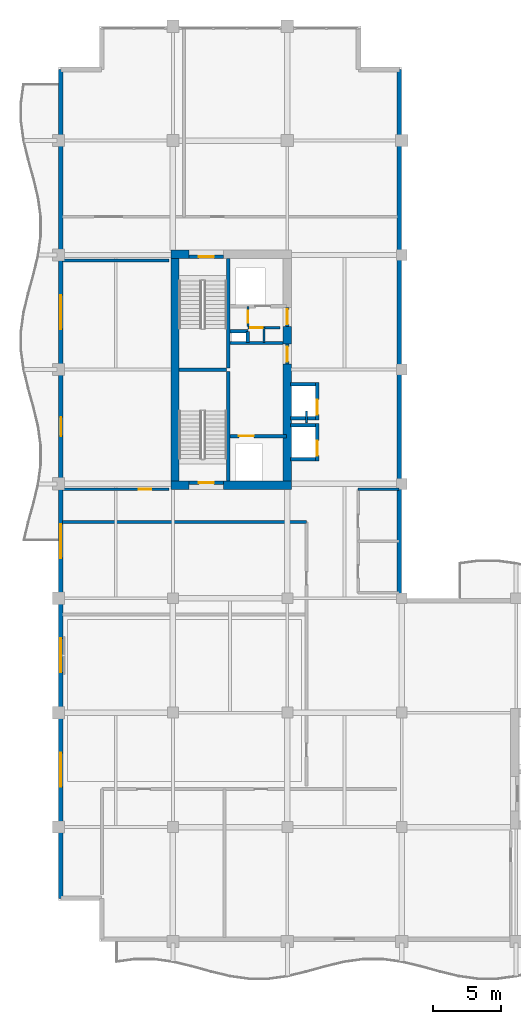
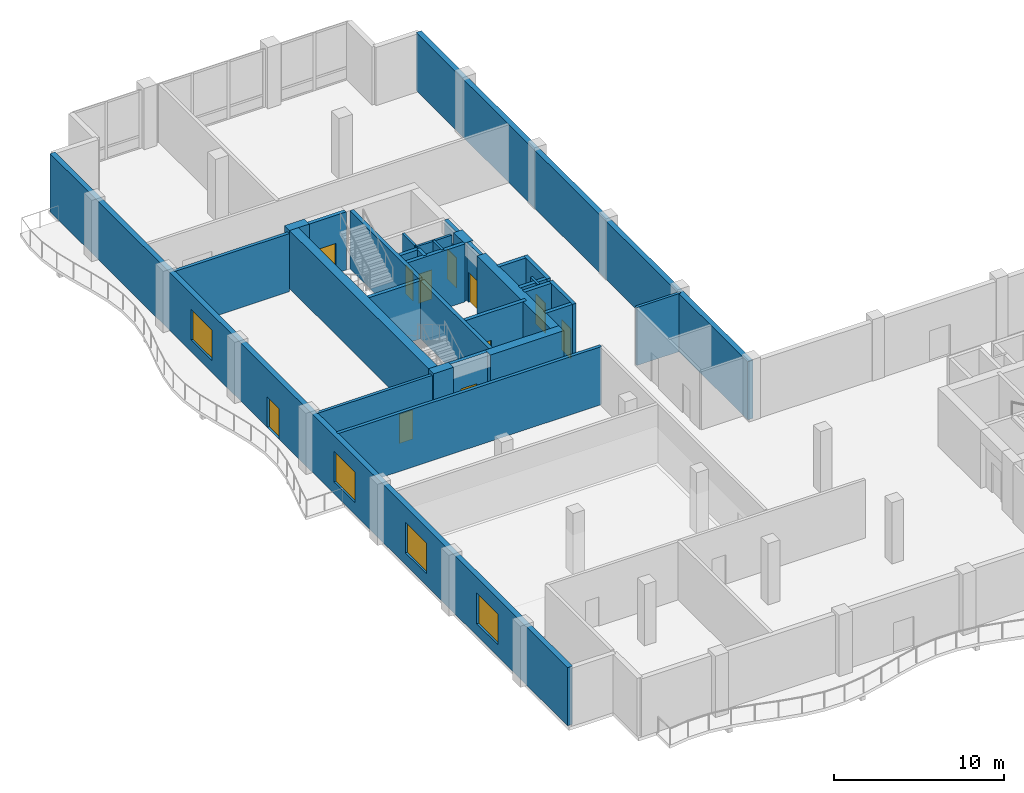
# One storey, part 8 of 16: 33 walls, 11 doors, 4 windows, 15 openings.
"""IFC4 building model written with IfcOpenShell, lengths in metres."""

import ifcopenshell
import ifcopenshell.guid

model = None  # the IFC model being written
_history = None  # IfcOwnerHistory: only IFC2X3 demands one
_inside = {}  # id of a spatial element -> (the spatial element, [elements in it])
_under = {}  # id of a project, library or spatial element -> (it, [spatial elements below it])
_declared = {}  # id of a project -> (the project, [libraries it declares])
_typed = {}  # id of a type object -> (the type object, [elements of that type])
_made_of = {}  # id of a material, layer set ... -> (it, [elements and type objects made of it])


def new_model(schema):
    """Start an empty IFC model of exactly this schema.

    Asked for "IFC4X3", IfcOpenShell would pick the latest addendum, in which some entities
    have other attributes; the version numbers below select the first issue.
    IFC2X3 requires an IfcOwnerHistory on every rooted entity: one is made here for all.
    """
    global model, _history
    if schema == "IFC4X3":
        model = ifcopenshell.file(schema_version=(4, 3, 0, 0))
    else:
        model = ifcopenshell.file(schema=schema)
    _inside.clear()
    _under.clear()
    _declared.clear()
    _typed.clear()
    _made_of.clear()
    _history = None
    if model.schema == "IFC2X3":
        org = make("IfcOrganization", Name="unknown")
        user = make(
            "IfcPersonAndOrganization",
            ThePerson=make("IfcPerson", FamilyName="unknown"),
            TheOrganization=org,
        )
        app = make(
            "IfcApplication",
            ApplicationDeveloper=org,
            Version="unknown",
            ApplicationFullName="unknown",
            ApplicationIdentifier="unknown",
        )
        _history = make(
            "IfcOwnerHistory",
            OwningUser=user,
            OwningApplication=app,
            ChangeAction="ADDED",
            CreationDate=0,
        )
    return model


def make(cls, **values):
    """One entity of the class cls with the attributes given. An attribute that is None is left unset."""
    return model.create_entity(
        cls, **{name: value for name, value in values.items() if value is not None}
    )


def rooted(cls, **values):
    """An entity with a GlobalId (a new one), such as an element, a storey or a relation."""
    return make(cls, GlobalId=ifcopenshell.guid.new(), OwnerHistory=_history, **values)


def si_unit(unit_type, name, prefix=None):
    """IfcSIUnit, for example si_unit("LENGTHUNIT", "METRE", prefix="MILLI")."""
    return make("IfcSIUnit", UnitType=unit_type, Prefix=prefix, Name=name)


def assignment(units):
    """IfcUnitAssignment: the units of a project."""
    return None if units is None else make("IfcUnitAssignment", Units=units)


def point(xyz):
    """IfcCartesianPoint."""
    return None if xyz is None else make("IfcCartesianPoint", Coordinates=xyz)


def direction(xyz):
    """IfcDirection."""
    return None if xyz is None else make("IfcDirection", DirectionRatios=xyz)


def frame(location, z_axis=None, x_axis=None):
    """IfcAxis2Placement3D, a coordinate frame: its origin and axes. An axis left out is left unset."""
    return make(
        "IfcAxis2Placement3D",
        Location=point(location),
        Axis=direction(z_axis),
        RefDirection=direction(x_axis),
    )


def frame_2d(location, x_axis=None):
    """IfcAxis2Placement2D, a coordinate frame in the plane: its origin and x axis."""
    return make(
        "IfcAxis2Placement2D", Location=point(location), RefDirection=direction(x_axis)
    )


def origin():
    """The frame at (0, 0, 0) with its axes left unset."""
    return frame((0.0, 0.0, 0.0))


def place(relative_to, where):
    """IfcLocalPlacement: puts the frame where relative to a parent placement (None: the world)."""
    return make(
        "IfcLocalPlacement", PlacementRelTo=relative_to, RelativePlacement=where
    )


def context(
    kind, dimensions, precision=None, world=None, true_north=None, identifier=None
):
    """IfcGeometricRepresentationContext, for example the 3D "Model" context."""
    return make(
        "IfcGeometricRepresentationContext",
        ContextIdentifier=identifier,
        ContextType=kind,
        CoordinateSpaceDimension=dimensions,
        Precision=precision,
        WorldCoordinateSystem=world,
        TrueNorth=true_north,
    )


def subcontext(parent, identifier, kind, view, scale=None):
    """IfcGeometricRepresentationSubContext, for example "Body" below "Model"."""
    return make(
        "IfcGeometricRepresentationSubContext",
        ContextIdentifier=identifier,
        ContextType=kind,
        ParentContext=parent,
        TargetScale=scale,
        TargetView=view,
    )


def project(units=None, contexts=None):
    """IfcProject with its units and contexts."""
    return rooted(
        "IfcProject",
        Name="project",
        RepresentationContexts=contexts,
        UnitsInContext=assignment(units),
    )


def spatial(cls, under=None, at=None, **own):
    """A site, building, storey or space (cls), placed at a placement, below another one or the project."""
    s = rooted(cls, ObjectPlacement=at, **own)
    if under is not None:
        _under.setdefault(under.id(), (under, []))[1].append(s)
    return s


def profile(cls, at=None, kind="AREA", **sizes):
    """A parametric profile (cls). Its sizes go by their IFC names, for example OverallWidth=200.0."""
    return make(cls, ProfileType=kind, Position=at, **sizes)


def rectangle(**sizes):
    """IfcRectangleProfileDef."""
    return profile("IfcRectangleProfileDef", **sizes)


def extrude(swept, where, along, depth):
    """IfcExtrudedAreaSolid: the profile swept, set in the frame where, extruded along a direction by depth."""
    return make(
        "IfcExtrudedAreaSolid",
        SweptArea=swept,
        Position=where,
        ExtrudedDirection=direction(along),
        Depth=depth,
    )


def shape(context_of_items, identifier, shape_type, items):
    """IfcShapeRepresentation: the items that make up one representation, for example the "Body"."""
    return make(
        "IfcShapeRepresentation",
        ContextOfItems=context_of_items,
        RepresentationIdentifier=identifier,
        RepresentationType=shape_type,
        Items=items,
    )


def material(Name=None, Category=None):
    """IfcMaterial."""
    return make("IfcMaterial", Name=Name, Category=Category)


def layer(
    of_material, thickness, ventilated=None, Name=None, Category=None, Priority=None
):
    """IfcMaterialLayer: one layer of a wall or slab, of a material (None: an air gap)."""
    return make(
        "IfcMaterialLayer",
        Material=of_material,
        LayerThickness=thickness,
        IsVentilated=ventilated,
        Name=Name,
        Category=Category,
        Priority=Priority,
    )


def layer_set(layers, Name=None):
    """IfcMaterialLayerSet."""
    return make("IfcMaterialLayerSet", MaterialLayers=layers, LayerSetName=Name)


def made_of(thing, what):
    """Note that an element or type object is made of a material, layer set ...; save() writes the relation."""
    if what is not None:
        _made_of.setdefault(what.id(), (what, []))[1].append(thing)
    return thing


def type_object(cls, material=None, **own):
    """A type object (cls), such as IfcWallType, which elements share."""
    return made_of(rooted(cls, **own), material)


def element(
    cls,
    number,
    at=None,
    inside=None,
    cuts=None,
    type_object=None,
    material=None,
    context=None,
    identifier="Body",
    shape_type=None,
    held_by="IfcProductDefinitionShape",
    body=None,
    shapes=None,
    **own,
):
    """One element of the class cls, such as IfcWall. Its Tag is "e" and its number.

    at: its placement. inside: the storey or other place that contains it. cuts: it is an
    opening in that element (IfcRelVoidsElement). A single representation is given by context,
    identifier, shape_type and body (its items); several are given by shapes. held_by: the class
    of the entity that holds the representations. save() writes the other relations.
    """
    e = rooted(cls, Tag="e%d" % number, ObjectPlacement=at, **own)
    if body is not None:
        shapes = [shape(context, identifier, shape_type, body)]
    if shapes is not None:
        e.Representation = make(held_by, Representations=shapes)
    if inside is not None:
        _inside.setdefault(inside.id(), (inside, []))[1].append(e)
    if cuts is not None:
        rooted(
            "IfcRelVoidsElement", RelatingBuildingElement=cuts, RelatedOpeningElement=e
        )
    if type_object is not None:
        _typed.setdefault(type_object.id(), (type_object, []))[1].append(e)
    return made_of(e, material)


def fill(opening, filler):
    """IfcRelFillsElement: the door or window that sits in an opening."""
    return rooted(
        "IfcRelFillsElement",
        RelatingOpeningElement=opening,
        RelatedBuildingElement=filler,
    )


def aggregate(whole, parts):
    """IfcRelAggregates: a whole, such as a stair, and the parts it consists of."""
    return rooted("IfcRelAggregates", RelatingObject=whole, RelatedObjects=parts)


def save(model, path):
    """Write the relations noted so far, then the file.

    IfcRelAggregates (storeys below a building ...), IfcRelContainedInSpatialStructure (elements
    in a storey), IfcRelDefinesByType, IfcRelAssociatesMaterial and IfcRelDeclares: one each for
    every whole, place, type object, material and project.
    """
    for whole, parts in _under.values():
        aggregate(whole, parts)
    for where, things in _inside.values():
        rooted(
            "IfcRelContainedInSpatialStructure",
            RelatedElements=things,
            RelatingStructure=where,
        )
    for kind, things in _typed.values():
        rooted("IfcRelDefinesByType", RelatedObjects=things, RelatingType=kind)
    for what, things in _made_of.values():
        rooted("IfcRelAssociatesMaterial", RelatedObjects=things, RelatingMaterial=what)
    for by, libraries in _declared.values():
        rooted("IfcRelDeclares", RelatingContext=by, RelatedDefinitions=libraries)
    model.write(path)


model = new_model("IFC4")

# Units and contexts
model_context = context("Model", 3, precision=1e-05, world=origin(), true_north=direction((0.0, 1.0)))
body_context = subcontext(model_context, "Body", "Model", "MODEL_VIEW")
ifc_project = project(units=[si_unit("LENGTHUNIT", "METRE"), si_unit("AREAUNIT", "SQUARE_METRE"), si_unit("VOLUMEUNIT", "CUBIC_METRE"), si_unit("PLANEANGLEUNIT", "RADIAN"), si_unit("MASSUNIT", "GRAM", prefix="KILO")], contexts=[model_context])

# Site, building, storey
site_placement = place(None, origin())
site = spatial("IfcSite", under=ifc_project, at=site_placement, CompositionType="ELEMENT")
building_placement = place(site_placement, origin())
building = spatial("IfcBuilding", under=site, at=building_placement, Name="Koriwani Terraces Tower", CompositionType="ELEMENT")
storey_placement = place(building_placement, frame((0.0, 0.0, 286.0)))
storey = spatial("IfcBuildingStorey", under=building, at=storey_placement, Name="L71", CompositionType="ELEMENT", Elevation=286.0)

# Walls
ifc_material_1 = material(Name="Concrete C60/75", Category="concrete")
ifc_layer_1 = layer(ifc_material_1, 0.60009765625, Name="Concrete C60/75")
ifc_layer_set_1 = layer_set([ifc_layer_1], Name="Concrete C60/75")
wall_type_1 = type_object("IfcWallType", Name="WALL_CORE_RC_600", PredefinedType="SHEAR", material=ifc_layer_set_1)
wall_1_placement = place(storey_placement, frame((16.64990234375, 41.89990234375, 0.0), z_axis=(0.0, 0.0, 1.0), x_axis=(1.0, 0.0, 0.0)))
element("IfcWall", 1, at=wall_1_placement, inside=storey, type_object=wall_type_1, Name="L71 West Split Core Shear Wall S1", PredefinedType="SHEAR", context=body_context, shape_type="SweptSolid", body=[
    extrude(rectangle(XDim=1.35009765625, YDim=0.60009765625, at=frame_2d((0.675048828125, 0.0))), origin(), (0.0, 0.0, 1.0), 4.169921875),
])
wall_2_placement = place(storey_placement, frame((20.5, 41.89990234375, 0.0), z_axis=(0.0, 0.0, 1.0), x_axis=(1.0, 0.0, 0.0)))
element("IfcWall", 2, at=wall_2_placement, inside=storey, type_object=wall_type_1, Name="L71 West Split Core Shear Wall S2", PredefinedType="SHEAR", context=body_context, shape_type="SweptSolid", body=[
    extrude(rectangle(XDim=5.0, YDim=0.60009765625, at=frame_2d((2.5, 0.0))), origin(), (0.0, 0.0, 1.0), 4.169921875),
])
wall_3_placement = place(storey_placement, frame((16.64990234375, 58.85009765625, 0.0), z_axis=(0.0, 0.0, 1.0), x_axis=(1.0, 0.0, 0.0)))
element("IfcWall", 3, at=wall_3_placement, inside=storey, type_object=wall_type_1, Name="L71 West Split Core Shear Wall N1", PredefinedType="SHEAR", context=body_context, shape_type="SweptSolid", body=[
    extrude(rectangle(XDim=1.35009765625, YDim=0.60009765625, at=frame_2d((0.675048828125, 0.0))), origin(), (0.0, 0.0, 1.0), 4.169921875),
])
wall_4_placement = place(storey_placement, frame((16.949951171875, 42.199951171875, 0.0), z_axis=(0.0, 0.0, 1.0), x_axis=(0.0, 1.0, 0.0)))
element("IfcWall", 4, at=wall_4_placement, inside=storey, type_object=wall_type_1, Name="L71 West Split Core Shear Wall W1", PredefinedType="SHEAR", context=body_context, shape_type="SweptSolid", body=[
    extrude(rectangle(XDim=16.35009765625, YDim=0.60009765625, at=frame_2d((8.175048828125, 0.0))), origin(), (0.0, 0.0, 1.0), 4.169921875),
])
wall_5_placement = place(storey_placement, frame((25.199951171875, 42.199951171875, 0.0), z_axis=(0.0, 0.0, 1.0), x_axis=(0.0, 1.0, 0.0)))
element("IfcWall", 5, at=wall_5_placement, inside=storey, type_object=wall_type_1, Name="L71 West Split Core Shear Wall E1", PredefinedType="SHEAR", context=body_context, shape_type="SweptSolid", body=[
    extrude(rectangle(XDim=8.60009765625, YDim=0.60009765625, at=frame_2d((4.300048828125, 0.0))), origin(), (0.0, 0.0, 1.0), 4.169921875),
])
wall_6_placement = place(storey_placement, frame((25.199951171875, 52.280029296875, 0.0), z_axis=(0.0, 0.0, 1.0), x_axis=(0.0, 1.0, 0.0)))
element("IfcWall", 6, at=wall_6_placement, inside=storey, type_object=wall_type_1, Name="L71 West Split Core Shear Wall E2", PredefinedType="SHEAR", context=body_context, shape_type="SweptSolid", body=[
    extrude(rectangle(XDim=1.27001953125, YDim=0.60009765625, at=frame_2d((0.635009765625, 0.0))), origin(), (0.0, 0.0, 1.0), 4.169921875),
])

# Wall, opening, door
ifc_material_2 = material(Name="Autoclaved Cellular Concrete Blockwork", Category="masonry")
ifc_layer_2 = layer(ifc_material_2, 0.199951171875, Name="Autoclaved Cellular Concrete Blockwork")
ifc_layer_set_2 = layer_set([ifc_layer_2], Name="Autoclaved Cellular Concrete Blockwork")
wall_type_2 = type_object("IfcWallType", Name="WALL_CORRIDOR_200", PredefinedType="PARTITIONING", material=ifc_layer_set_2)
wall_7_placement = place(storey_placement, frame((8.699951171875, 41.60009765625, 0.0), z_axis=(0.0, 0.0, 1.0), x_axis=(1.0, 0.0, 0.0)))
wall_7 = element("IfcWall", 7, at=wall_7_placement, inside=storey, type_object=wall_type_2, Name="L71 Interior Wall WSKY-RECW1-L71", PredefinedType="PARTITIONING", context=body_context, shape_type="SweptSolid", body=[
    extrude(rectangle(XDim=7.800048828125, YDim=0.199951171875, at=frame_2d((3.89990234375, 0.0))), origin(), (0.0, 0.0, 1.0), 4.169921875),
])
opening_1_placement = place(wall_7_placement, frame((5.60009765625, 0.0, 0.0)))
opening_1 = element("IfcOpeningElement", 8, at=opening_1_placement, cuts=wall_7, Name="Opening D-06", PredefinedType="OPENING", context=body_context, shape_type="SweptSolid", body=[
    extrude(rectangle(XDim=0.919921875, YDim=2.10009765625, at=frame_2d((0.4599609375, 1.050048828125))), frame((0.0, 0.10986328125, 0.0), z_axis=(0.0, -1.0, 0.0), x_axis=(1.0, 0.0, 0.0)), (0.0, 0.0, 1.0), 0.219970703125),
])
ifc_material_3 = material(Name="Architectural Oak Fire Door", Category="wood")
door_type_1 = type_object("IfcDoorType", Name="DOOR_ROOM_INT_920X2100", OperationType="NOTDEFINED", PredefinedType="DOOR", material=ifc_material_3)
door_1_placement = place(opening_1_placement, origin())
door_1 = element("IfcDoor", 9, at=door_1_placement, inside=storey, type_object=door_type_1, Name="L71 Private Summit Boardroom Door", OperationType="SINGLE_SWING_LEFT", OverallHeight=2.10009765625, OverallWidth=0.919921875, PredefinedType="DOOR", context=body_context, shape_type="SweptSolid", body=[
    extrude(rectangle(XDim=0.919921875, YDim=2.10009765625, at=frame_2d((0.4599609375, 1.050048828125))), frame((0.0, 0.02490234375, 0.0), z_axis=(0.0, -1.0, 0.0), x_axis=(1.0, 0.0, 0.0)), (0.0, 0.0, 1.0), 0.050048828125),
])
fill(opening_1, door_1)

# Walls
ifc_layer_3 = layer(ifc_material_2, 0.219970703125, Name="Autoclaved Cellular Concrete Blockwork")
ifc_layer_set_3 = layer_set([ifc_layer_3], Name="Autoclaved Cellular Concrete Blockwork")
wall_type_3 = type_object("IfcWallType", Name="WALL_DEMISING_220", PredefinedType="PARTITIONING", material=ifc_layer_set_3)
wall_8_placement = place(storey_placement, frame((8.699951171875, 58.39990234375, 0.0), z_axis=(0.0, 0.0, 1.0), x_axis=(1.0, 0.0, 0.0)))
element("IfcWall", 10, at=wall_8_placement, inside=storey, type_object=wall_type_3, Name="L71 Interior Wall WSKY-RECW2-L71", PredefinedType="PARTITIONING", context=body_context, shape_type="SweptSolid", body=[
    extrude(rectangle(XDim=7.800048828125, YDim=0.219970703125, at=frame_2d((3.89990234375, 0.0))), origin(), (0.0, 0.0, 1.0), 4.169921875),
])
wall_9_placement = place(storey_placement, frame((8.699951171875, 39.199951171875, 0.0), z_axis=(0.0, 0.0, 1.0), x_axis=(1.0, 0.0, 0.0)))
element("IfcWall", 11, at=wall_9_placement, inside=storey, type_object=wall_type_3, Name="L71 Interior Wall WSKY-WMN-L71", PredefinedType="PARTITIONING", context=body_context, shape_type="SweptSolid", body=[
    extrude(rectangle(XDim=17.900146484375, YDim=0.219970703125, at=frame_2d((8.9501953125, 0.0))), origin(), (0.0, 0.0, 1.0), 4.169921875),
])

# Wall, openings, door, windows
ifc_material_4 = material(Name="Concrete C50/60", Category="concrete")
ifc_layer_4 = layer(ifc_material_4, 0.35009765625, Name="Concrete C50/60")
ifc_layer_set_4 = layer_set([ifc_layer_4], Name="Concrete C50/60")
wall_type_4 = type_object("IfcWallType", Name="WALL_EXT_BRUTALIST_350", PredefinedType="STANDARD", material=ifc_layer_set_4)
wall_10_placement = place(storey_placement, frame((8.574951171875, 11.574951171875, 0.0), z_axis=(0.0, 0.0, 1.0), x_axis=(0.0, 1.0, 0.0)))
wall_10 = element("IfcWall", 12, at=wall_10_placement, inside=storey, type_object=wall_type_4, Name="L71 Fair-Faced Brutalist Exterior Wall (W)", PredefinedType="STANDARD", context=body_context, shape_type="SweptSolid", body=[
    extrude(rectangle(XDim=60.85009765625, YDim=0.35009765625, at=frame_2d((30.425048828125, 0.0))), origin(), (0.0, 0.0, 1.0), 4.169921875),
])
opening_2_placement = place(wall_10_placement, frame((33.925048828125, 0.0, 0.0)))
opening_2 = element("IfcOpeningElement", 13, at=opening_2_placement, cuts=wall_10, Name="Opening D-09", PredefinedType="OPENING", context=body_context, shape_type="SweptSolid", body=[
    extrude(rectangle(XDim=1.39990234375, YDim=2.199951171875, at=frame_2d((0.699951171875, 1.10009765625))), frame((0.0, 0.18505859375, 0.0), z_axis=(0.0, -1.0, 0.0), x_axis=(1.0, 0.0, 0.0)), (0.0, 0.0, 1.0), 0.3701171875),
])
opening_3_placement = place(wall_10_placement, frame((8.175048828125, 0.0, 0.85009765625)))
opening_3 = element("IfcOpeningElement", 14, at=opening_3_placement, cuts=wall_10, Name="Opening W-07", PredefinedType="OPENING", context=body_context, shape_type="SweptSolid", body=[
    extrude(rectangle(XDim=2.5, YDim=2.199951171875, at=frame_2d((1.25, 1.10009765625))), frame((0.0, 0.18505859375, 0.0), z_axis=(0.0, -1.0, 0.0), x_axis=(1.0, 0.0, 0.0)), (0.0, 0.0, 1.0), 0.3701171875),
])
opening_4_placement = place(wall_10_placement, frame((16.574951171875, 0.0, 0.85009765625)))
opening_4 = element("IfcOpeningElement", 15, at=opening_4_placement, cuts=wall_10, Name="Opening W-07", PredefinedType="OPENING", context=body_context, shape_type="SweptSolid", body=[
    extrude(rectangle(XDim=2.5, YDim=2.199951171875, at=frame_2d((1.25, 1.10009765625))), frame((0.0, 0.18505859375, 0.0), z_axis=(0.0, -1.0, 0.0), x_axis=(1.0, 0.0, 0.0)), (0.0, 0.0, 1.0), 0.3701171875),
])
opening_5_placement = place(wall_10_placement, frame((24.97509765625, 0.0, 0.85009765625)))
opening_5 = element("IfcOpeningElement", 16, at=opening_5_placement, cuts=wall_10, Name="Opening W-07", PredefinedType="OPENING", context=body_context, shape_type="SweptSolid", body=[
    extrude(rectangle(XDim=2.5, YDim=2.199951171875, at=frame_2d((1.25, 1.10009765625))), frame((0.0, 0.18505859375, 0.0), z_axis=(0.0, -1.0, 0.0), x_axis=(1.0, 0.0, 0.0)), (0.0, 0.0, 1.0), 0.3701171875),
])
opening_6_placement = place(wall_10_placement, frame((41.77490234375, 0.0, 0.85009765625)))
opening_6 = element("IfcOpeningElement", 17, at=opening_6_placement, cuts=wall_10, Name="Opening W-07", PredefinedType="OPENING", context=body_context, shape_type="SweptSolid", body=[
    extrude(rectangle(XDim=2.5, YDim=2.199951171875, at=frame_2d((1.25, 1.10009765625))), frame((0.0, 0.18505859375, 0.0), z_axis=(0.0, -1.0, 0.0), x_axis=(1.0, 0.0, 0.0)), (0.0, 0.0, 1.0), 0.3701171875),
])
ifc_material_5 = material(Name="Anodised Bronze Aluminium", Category="aluminium")
door_type_2 = type_object("IfcDoorType", Name="DOOR_BALCONY_GLAZED_1400X2200", OperationType="NOTDEFINED", PredefinedType="DOOR", material=ifc_material_5)
door_2_placement = place(opening_2_placement, origin())
door_2 = element("IfcDoor", 18, at=door_2_placement, inside=storey, type_object=door_type_2, Name="L71 West Balcony Glazed Door", OperationType="SINGLE_SWING_LEFT", OverallHeight=2.199951171875, OverallWidth=1.39990234375, PredefinedType="DOOR", context=body_context, shape_type="SweptSolid", body=[
    extrude(rectangle(XDim=1.39990234375, YDim=2.199951171875, at=frame_2d((0.699951171875, 1.10009765625))), frame((0.0, 0.02490234375, 0.0), z_axis=(0.0, -1.0, 0.0), x_axis=(1.0, 0.0, 0.0)), (0.0, 0.0, 1.0), 0.050048828125),
])
fill(opening_2, door_2)
ifc_material_6 = material(Name="Tempered Laminated Low-E Glass", Category="glass")
window_type = type_object("IfcWindowType", Name="WIN_SKY_LOUNGE_2500X2200", PartitioningType="SINGLE_PANEL", PredefinedType="WINDOW", material=ifc_material_6)
window_1_placement = place(opening_3_placement, origin())
window_1 = element("IfcWindow", 19, at=window_1_placement, inside=storey, type_object=window_type, Name="L71 Exterior Window (W-3)", OverallHeight=2.199951171875, OverallWidth=2.5, PartitioningType="SINGLE_PANEL", PredefinedType="WINDOW", context=body_context, shape_type="SweptSolid", body=[
    extrude(rectangle(XDim=2.5, YDim=2.199951171875, at=frame_2d((1.25, 1.10009765625))), frame((0.0, 0.030029296875, 0.0), z_axis=(0.0, -1.0, 0.0), x_axis=(1.0, 0.0, 0.0)), (0.0, 0.0, 1.0), 0.06005859375),
])
fill(opening_3, window_1)
window_2_placement = place(opening_4_placement, origin())
window_2 = element("IfcWindow", 20, at=window_2_placement, inside=storey, type_object=window_type, Name="L71 Exterior Window (W-6)", OverallHeight=2.199951171875, OverallWidth=2.5, PartitioningType="SINGLE_PANEL", PredefinedType="WINDOW", context=body_context, shape_type="SweptSolid", body=[
    extrude(rectangle(XDim=2.5, YDim=2.199951171875, at=frame_2d((1.25, 1.10009765625))), frame((0.0, 0.030029296875, 0.0), z_axis=(0.0, -1.0, 0.0), x_axis=(1.0, 0.0, 0.0)), (0.0, 0.0, 1.0), 0.06005859375),
])
fill(opening_4, window_2)
window_3_placement = place(opening_5_placement, origin())
window_3 = element("IfcWindow", 21, at=window_3_placement, inside=storey, type_object=window_type, Name="L71 Exterior Window (W-9)", OverallHeight=2.199951171875, OverallWidth=2.5, PartitioningType="SINGLE_PANEL", PredefinedType="WINDOW", context=body_context, shape_type="SweptSolid", body=[
    extrude(rectangle(XDim=2.5, YDim=2.199951171875, at=frame_2d((1.25, 1.10009765625))), frame((0.0, 0.030029296875, 0.0), z_axis=(0.0, -1.0, 0.0), x_axis=(1.0, 0.0, 0.0)), (0.0, 0.0, 1.0), 0.06005859375),
])
fill(opening_5, window_3)
window_4_placement = place(opening_6_placement, origin())
window_4 = element("IfcWindow", 22, at=window_4_placement, inside=storey, type_object=window_type, Name="L71 Exterior Window (W-15)", OverallHeight=2.199951171875, OverallWidth=2.5, PartitioningType="SINGLE_PANEL", PredefinedType="WINDOW", context=body_context, shape_type="SweptSolid", body=[
    extrude(rectangle(XDim=2.5, YDim=2.199951171875, at=frame_2d((1.25, 1.10009765625))), frame((0.0, 0.030029296875, 0.0), z_axis=(0.0, -1.0, 0.0), x_axis=(1.0, 0.0, 0.0)), (0.0, 0.0, 1.0), 0.06005859375),
])
fill(opening_6, window_4)

# Walls
wall_11_placement = place(storey_placement, frame((33.425048828125, 72.425048828125, 0.0), z_axis=(0.0, 0.0, 1.0), x_axis=(0.0, -1.0, 0.0)))
element("IfcWall", 23, at=wall_11_placement, inside=storey, type_object=wall_type_4, Name="L71 Fair-Faced Brutalist Exterior Wall (NW_IN)", PredefinedType="STANDARD", context=body_context, shape_type="SweptSolid", body=[
    extrude(rectangle(XDim=39.0, YDim=0.35009765625, at=frame_2d((19.5, 0.0))), origin(), (0.0, 0.0, 1.0), 4.169921875),
])
ifc_material_7 = material(Name="Fire-Rated Acoustic Gypsum Partition", Category="masonry")
ifc_layer_5 = layer(ifc_material_7, 0.179931640625, Name="Fire-Rated Acoustic Gypsum Partition")
ifc_layer_set_5 = layer_set([ifc_layer_5], Name="Fire-Rated Acoustic Gypsum Partition")
wall_type_5 = type_object("IfcWallType", Name="WALL_PLUMBING_180", PredefinedType="PLUMBINGWALL", material=ifc_layer_set_5)
wall_12_placement = place(storey_placement, frame((30.39990234375, 41.60009765625, 0.0), z_axis=(0.0, 0.0, 1.0), x_axis=(1.0, 0.0, 0.0)))
element("IfcWall", 24, at=wall_12_placement, inside=storey, type_object=wall_type_5, Name="L71 Interior Wall WSKY-WCN-L71", PredefinedType="PLUMBINGWALL", context=body_context, shape_type="SweptSolid", body=[
    extrude(rectangle(XDim=3.0, YDim=0.179931640625, at=frame_2d((1.5, 0.0))), origin(), (0.0, 0.0, 1.0), 4.169921875),
])
ifc_material_8 = material(Name="Concrete C40/50", Category="concrete")
ifc_layer_6 = layer(ifc_material_8, 0.25, Name="Concrete C40/50")
ifc_layer_set_6 = layer_set([ifc_layer_6], Name="Concrete C40/50")
wall_type_6 = type_object("IfcWallType", Name="WALL_SHAFT_RATED_250", PredefinedType="SOLIDWALL", material=ifc_layer_set_6)
for number, where, z_axis, x_axis, name in (
    (25, (20.875, 42.199951171875, 0.0), (0.0, 0.0, 1.0), (0.0, 1.0, 0.0), "L71 West Split Core Web Wall MID1"),
    (26, (20.875, 50.5, 0.0), (0.0, 0.0, 1.0), (0.0, 1.0, 0.0), "L71 West Split Core Web Wall MID2"),
):
    element("IfcWall", number, at=place(storey_placement, frame(where, z_axis=z_axis, x_axis=x_axis)), inside=storey, type_object=wall_type_6, Name=name, PredefinedType="SOLIDWALL", context=body_context, shape_type="SweptSolid", body=[
        extrude(rectangle(XDim=8.050048828125, YDim=0.25, at=frame_2d((4.02490234375, 0.0))), origin(), (0.0, 0.0, 1.0), 4.169921875),
    ])
wall_13_placement = place(storey_placement, frame((17.25, 50.375, 0.0), z_axis=(0.0, 0.0, 1.0), x_axis=(1.0, 0.0, 0.0)))
element("IfcWall", 27, at=wall_13_placement, inside=storey, type_object=wall_type_6, Name="L71 West Split Core Stair Dividing Wall", PredefinedType="SOLIDWALL", context=body_context, shape_type="SweptSolid", body=[
    extrude(rectangle(XDim=3.5, YDim=0.25, at=frame_2d((1.75, 0.0))), origin(), (0.0, 0.0, 1.0), 4.169921875),
])

# Wall, opening, door
wall_14_placement = place(storey_placement, frame((18.0, 42.074951171875, 0.0), z_axis=(0.0, 0.0, 1.0), x_axis=(1.0, 0.0, 0.0)))
wall_14 = element("IfcWall", 28, at=wall_14_placement, inside=storey, type_object=wall_type_6, Name="L71 Interior Wall WIN-CW-L71-STS", PredefinedType="SOLIDWALL", context=body_context, shape_type="SweptSolid", body=[
    extrude(rectangle(XDim=2.5, YDim=0.25, at=frame_2d((1.25, 0.0))), origin(), (0.0, 0.0, 1.0), 4.169921875),
])
opening_7_placement = place(wall_14_placement, frame((0.699951171875, 0.0, 0.0)))
opening_7 = element("IfcOpeningElement", 29, at=opening_7_placement, cuts=wall_14, Name="Opening D-03", PredefinedType="OPENING", context=body_context, shape_type="SweptSolid", body=[
    extrude(rectangle(XDim=1.10009765625, YDim=2.14990234375, at=frame_2d((0.550048828125, 1.074951171875))), frame((0.0, 0.135009765625, 0.0), z_axis=(0.0, -1.0, 0.0), x_axis=(1.0, 0.0, 0.0)), (0.0, 0.0, 1.0), 0.27001953125),
])
ifc_material_9 = material(Name="Steel ASTM A572 Grade 50", Category="steel")
door_type_3 = type_object("IfcDoorType", Name="DOOR_STAIR_FIRE_1100X2150", OperationType="NOTDEFINED", PredefinedType="DOOR", material=ifc_material_9)
door_3_placement = place(opening_7_placement, origin())
door_3 = element("IfcDoor", 30, at=door_3_placement, inside=storey, type_object=door_type_3, Name="L71 Exit Stair ST-W1 Door", OperationType="SINGLE_SWING_LEFT", OverallHeight=2.14990234375, OverallWidth=1.10009765625, PredefinedType="DOOR", context=body_context, shape_type="SweptSolid", body=[
    extrude(rectangle(XDim=1.10009765625, YDim=2.14990234375, at=frame_2d((0.550048828125, 1.074951171875))), frame((0.0, 0.02490234375, 0.0), z_axis=(0.0, -1.0, 0.0), x_axis=(1.0, 0.0, 0.0)), (0.0, 0.0, 1.0), 0.050048828125),
])
fill(opening_7, door_3)

wall_15_placement = place(storey_placement, frame((18.0, 58.675048828125, 0.0), z_axis=(0.0, 0.0, 1.0), x_axis=(1.0, 0.0, 0.0)))
wall_15 = element("IfcWall", 31, at=wall_15_placement, inside=storey, type_object=wall_type_6, Name="L71 Interior Wall WIN-CW-L71-STN", PredefinedType="SOLIDWALL", context=body_context, shape_type="SweptSolid", body=[
    extrude(rectangle(XDim=2.5, YDim=0.25, at=frame_2d((1.25, 0.0))), origin(), (0.0, 0.0, 1.0), 4.169921875),
])
opening_8_placement = place(wall_15_placement, frame((0.699951171875, 0.0, 0.0)))
opening_8 = element("IfcOpeningElement", 32, at=opening_8_placement, cuts=wall_15, Name="Opening D-03", PredefinedType="OPENING", context=body_context, shape_type="SweptSolid", body=[
    extrude(rectangle(XDim=1.10009765625, YDim=2.14990234375, at=frame_2d((0.550048828125, 1.074951171875))), frame((0.0, 0.135009765625, 0.0), z_axis=(0.0, -1.0, 0.0), x_axis=(1.0, 0.0, 0.0)), (0.0, 0.0, 1.0), 0.27001953125),
])
door_4_placement = place(opening_8_placement, origin())
door_4 = element("IfcDoor", 33, at=door_4_placement, inside=storey, type_object=door_type_3, Name="L71 Exit Stair ST-W2 Door", OperationType="SINGLE_SWING_RIGHT", OverallHeight=2.14990234375, OverallWidth=1.10009765625, PredefinedType="DOOR", context=body_context, shape_type="SweptSolid", body=[
    extrude(rectangle(XDim=1.10009765625, YDim=2.14990234375, at=frame_2d((0.550048828125, 1.074951171875))), frame((0.0, 0.02490234375, 0.0), z_axis=(0.0, -1.0, 0.0), x_axis=(1.0, 0.0, 0.0)), (0.0, 0.0, 1.0), 0.050048828125),
])
fill(opening_8, door_4)

wall_16_placement = place(storey_placement, frame((21.0, 45.5, 0.0), z_axis=(0.0, 0.0, 1.0), x_axis=(1.0, 0.0, 0.0)))
wall_16 = element("IfcWall", 34, at=wall_16_placement, inside=storey, type_object=wall_type_6, Name="L71 Interior Wall WIN-CW-L71-FE", PredefinedType="SOLIDWALL", context=body_context, shape_type="SweptSolid", body=[
    extrude(rectangle(XDim=4.14990234375, YDim=0.25, at=frame_2d((2.074951171875, 0.0))), origin(), (0.0, 0.0, 1.0), 4.169921875),
])
opening_9_placement = place(wall_16_placement, frame((0.64990234375, 0.0, 0.0)))
opening_9 = element("IfcOpeningElement", 35, at=opening_9_placement, cuts=wall_16, Name="Opening LD-01", PredefinedType="OPENING", context=body_context, shape_type="SweptSolid", body=[
    extrude(rectangle(XDim=1.10009765625, YDim=2.14990234375, at=frame_2d((0.550048828125, 1.074951171875))), frame((0.0, 0.135009765625, 0.0), z_axis=(0.0, -1.0, 0.0), x_axis=(1.0, 0.0, 0.0)), (0.0, 0.0, 1.0), 0.27001953125),
])
door_type_4 = type_object("IfcDoorType", Name="DOOR_LIFT_LANDING_1100X2200", OperationType="NOTDEFINED", PredefinedType="DOOR", material=ifc_material_9)
door_5_placement = place(opening_9_placement, origin())
door_5 = element("IfcDoor", 36, at=door_5_placement, inside=storey, type_object=door_type_4, Name="L71 Firefighting Lift FE-01 Landing Door", OperationType="SLIDING_TO_LEFT", OverallHeight=2.14990234375, OverallWidth=1.10009765625, PredefinedType="DOOR", context=body_context, shape_type="SweptSolid", body=[
    extrude(rectangle(XDim=1.10009765625, YDim=2.14990234375, at=frame_2d((0.550048828125, 1.074951171875))), frame((0.0, 0.02490234375, 0.0), z_axis=(0.0, -1.0, 0.0), x_axis=(1.0, 0.0, 0.0)), (0.0, 0.0, 1.0), 0.050048828125),
])
fill(opening_9, door_5)

wall_17_placement = place(storey_placement, frame((25.199951171875, 50.800048828125, 0.0), z_axis=(0.0, 0.0, 1.0), x_axis=(0.0, 1.0, 0.0)))
wall_17 = element("IfcWall", 37, at=wall_17_placement, inside=storey, type_object=wall_type_6, Name="L71 Interior Wall WIN-CW-L71-EP", PredefinedType="SOLIDWALL", context=body_context, shape_type="SweptSolid", body=[
    extrude(rectangle(XDim=1.47998046875, YDim=0.25, at=frame_2d((0.739990234375, 0.0))), origin(), (0.0, 0.0, 1.0), 4.169921875),
])
opening_10_placement = place(wall_17_placement, frame((0.179931640625, 0.0, 0.0)))
opening_10 = element("IfcOpeningElement", 38, at=opening_10_placement, cuts=wall_17, Name="Opening D-03", PredefinedType="OPENING", context=body_context, shape_type="SweptSolid", body=[
    extrude(rectangle(XDim=1.10009765625, YDim=2.14990234375, at=frame_2d((0.550048828125, 1.074951171875))), frame((0.0, 0.135009765625, 0.0), z_axis=(0.0, -1.0, 0.0), x_axis=(1.0, 0.0, 0.0)), (0.0, 0.0, 1.0), 0.27001953125),
])
door_6_placement = place(opening_10_placement, origin())
door_6 = element("IfcDoor", 39, at=door_6_placement, inside=storey, type_object=door_type_3, Name="L71 West Firefighting Lobby Door", OperationType="SINGLE_SWING_LEFT", OverallHeight=2.14990234375, OverallWidth=1.10009765625, PredefinedType="DOOR", context=body_context, shape_type="SweptSolid", body=[
    extrude(rectangle(XDim=1.10009765625, YDim=2.14990234375, at=frame_2d((0.550048828125, 1.074951171875))), frame((0.0, 0.02490234375, 0.0), z_axis=(0.0, -1.0, 0.0), x_axis=(1.0, 0.0, 0.0)), (0.0, 0.0, 1.0), 0.050048828125),
])
fill(opening_10, door_6)

# Wall
wall_18_placement = place(storey_placement, frame((21.0, 52.340087890625, 0.0), z_axis=(0.0, 0.0, 1.0), x_axis=(1.0, 0.0, 0.0)))
element("IfcWall", 40, at=wall_18_placement, inside=storey, type_object=wall_type_6, Name="L71 Interior Wall WIN-CW-L71-FFN", PredefinedType="SOLIDWALL", context=body_context, shape_type="SweptSolid", body=[
    extrude(rectangle(XDim=3.89990234375, YDim=0.25, at=frame_2d((1.949951171875, 0.0))), origin(), (0.0, 0.0, 1.0), 4.169921875),
])

# Wall, opening, door
wall_19_placement = place(storey_placement, frame((25.199951171875, 53.550048828125, 0.0), z_axis=(0.0, 0.0, 1.0), x_axis=(0.0, 1.0, 0.0)))
wall_19 = element("IfcWall", 41, at=wall_19_placement, inside=storey, type_object=wall_type_6, Name="L71 Interior Wall WIN-CW-L71-EP2", PredefinedType="SOLIDWALL", context=body_context, shape_type="SweptSolid", body=[
    extrude(rectangle(XDim=1.39990234375, YDim=0.25, at=frame_2d((0.699951171875, 0.0))), origin(), (0.0, 0.0, 1.0), 4.169921875),
])
opening_11_placement = place(wall_19_placement, frame((0.14990234375, 0.0, 0.0)))
opening_11 = element("IfcOpeningElement", 42, at=opening_11_placement, cuts=wall_19, Name="Opening D-03", PredefinedType="OPENING", context=body_context, shape_type="SweptSolid", body=[
    extrude(rectangle(XDim=1.10009765625, YDim=2.14990234375, at=frame_2d((0.550048828125, 1.074951171875))), frame((0.0, 0.135009765625, 0.0), z_axis=(0.0, -1.0, 0.0), x_axis=(1.0, 0.0, 0.0)), (0.0, 0.0, 1.0), 0.27001953125),
])
door_7_placement = place(opening_11_placement, origin())
door_7 = element("IfcDoor", 43, at=door_7_placement, inside=storey, type_object=door_type_3, Name="L71 West Goods Lift Lobby Door", OperationType="SINGLE_SWING_RIGHT", OverallHeight=2.14990234375, OverallWidth=1.10009765625, PredefinedType="DOOR", context=body_context, shape_type="SweptSolid", body=[
    extrude(rectangle(XDim=1.10009765625, YDim=2.14990234375, at=frame_2d((0.550048828125, 1.074951171875))), frame((0.0, 0.02490234375, 0.0), z_axis=(0.0, -1.0, 0.0), x_axis=(1.0, 0.0, 0.0)), (0.0, 0.0, 1.0), 0.050048828125),
])
fill(opening_11, door_7)

# Walls
wall_20_placement = place(storey_placement, frame((21.0, 53.199951171875, 0.0), z_axis=(0.0, 0.0, 1.0), x_axis=(1.0, 0.0, 0.0)))
element("IfcWall", 44, at=wall_20_placement, inside=storey, type_object=wall_type_6, Name="L71 Interior Wall WIN-CW-L71-RS1", PredefinedType="SOLIDWALL", context=body_context, shape_type="SweptSolid", body=[
    extrude(rectangle(XDim=1.300048828125, YDim=0.25, at=frame_2d((0.64990234375, 0.0))), origin(), (0.0, 0.0, 1.0), 4.169921875),
])
wall_21_placement = place(storey_placement, frame((22.300048828125, 52.360107421875, 0.0), z_axis=(0.0, 0.0, 1.0), x_axis=(0.0, 1.0, 0.0)))
element("IfcWall", 45, at=wall_21_placement, inside=storey, type_object=wall_type_6, Name="L71 Interior Wall WIN-CW-L71-RS2", PredefinedType="SOLIDWALL", context=body_context, shape_type="SweptSolid", body=[
    extrude(rectangle(XDim=0.83984375, YDim=0.25, at=frame_2d((0.419921875, 0.0))), origin(), (0.0, 0.0, 1.0), 4.169921875),
])

# Wall, opening, door
wall_22_placement = place(storey_placement, frame((27.39990234375, 43.675048828125, 0.0), z_axis=(0.0, 0.0, 1.0), x_axis=(0.0, 1.0, 0.0)))
wall_22 = element("IfcWall", 46, at=wall_22_placement, inside=storey, type_object=wall_type_6, Name="L71 Interior Wall WIN-LF-PE-H1-L71-F", PredefinedType="SOLIDWALL", context=body_context, shape_type="SweptSolid", body=[
    extrude(rectangle(XDim=2.75, YDim=0.25, at=frame_2d((1.375, 0.0))), origin(), (0.0, 0.0, 1.0), 4.169921875),
])
opening_12_placement = place(wall_22_placement, frame((0.39990234375, 0.0, 0.0)))
opening_12 = element("IfcOpeningElement", 47, at=opening_12_placement, cuts=wall_22, Name="Opening LD-01", PredefinedType="OPENING", context=body_context, shape_type="SweptSolid", body=[
    extrude(rectangle(XDim=1.10009765625, YDim=2.14990234375, at=frame_2d((0.550048828125, 1.074951171875))), frame((0.0, 0.135009765625, 0.0), z_axis=(0.0, -1.0, 0.0), x_axis=(1.0, 0.0, 0.0)), (0.0, 0.0, 1.0), 0.27001953125),
])
door_8_placement = place(opening_12_placement, origin())
door_8 = element("IfcDoor", 48, at=door_8_placement, inside=storey, type_object=door_type_4, Name="L71 Passenger Lift PE-H1 Landing Door", OperationType="SLIDING_TO_LEFT", OverallHeight=2.14990234375, OverallWidth=1.10009765625, PredefinedType="DOOR", context=body_context, shape_type="SweptSolid", body=[
    extrude(rectangle(XDim=1.10009765625, YDim=2.14990234375, at=frame_2d((0.550048828125, 1.074951171875))), frame((0.0, 0.02490234375, 0.0), z_axis=(0.0, -1.0, 0.0), x_axis=(1.0, 0.0, 0.0)), (0.0, 0.0, 1.0), 0.050048828125),
])
fill(opening_12, door_8)

# Walls
for number, where, z_axis, x_axis, name in (
    (49, (25.449951171875, 43.800048828125, 0.0), (0.0, 0.0, 1.0), (1.0, 0.0, 0.0), "L71 Interior Wall WIN-LF-PE-H1-L71-S"),
    (50, (25.449951171875, 46.300048828125, 0.0), (0.0, 0.0, 1.0), (1.0, 0.0, 0.0), "L71 Interior Wall WIN-LF-PE-H1-L71-N"),
):
    element("IfcWall", number, at=place(storey_placement, frame(where, z_axis=z_axis, x_axis=x_axis)), inside=storey, type_object=wall_type_6, Name=name, PredefinedType="SOLIDWALL", context=body_context, shape_type="SweptSolid", body=[
        extrude(rectangle(XDim=1.824951171875, YDim=0.25, at=frame_2d((0.91259765625, 0.0))), origin(), (0.0, 0.0, 1.0), 4.169921875),
    ])

# Wall, opening, door
wall_23_placement = place(storey_placement, frame((27.39990234375, 46.675048828125, 0.0), z_axis=(0.0, 0.0, 1.0), x_axis=(0.0, 1.0, 0.0)))
wall_23 = element("IfcWall", 51, at=wall_23_placement, inside=storey, type_object=wall_type_6, Name="L71 Interior Wall WIN-LF-PE-H2-L71-F", PredefinedType="SOLIDWALL", context=body_context, shape_type="SweptSolid", body=[
    extrude(rectangle(XDim=2.75, YDim=0.25, at=frame_2d((1.375, 0.0))), origin(), (0.0, 0.0, 1.0), 4.169921875),
])
opening_13_placement = place(wall_23_placement, frame((0.39990234375, 0.0, 0.0)))
opening_13 = element("IfcOpeningElement", 52, at=opening_13_placement, cuts=wall_23, Name="Opening LD-01", PredefinedType="OPENING", context=body_context, shape_type="SweptSolid", body=[
    extrude(rectangle(XDim=1.10009765625, YDim=2.14990234375, at=frame_2d((0.550048828125, 1.074951171875))), frame((0.0, 0.135009765625, 0.0), z_axis=(0.0, -1.0, 0.0), x_axis=(1.0, 0.0, 0.0)), (0.0, 0.0, 1.0), 0.27001953125),
])
door_9_placement = place(opening_13_placement, origin())
door_9 = element("IfcDoor", 53, at=door_9_placement, inside=storey, type_object=door_type_4, Name="L71 Passenger Lift PE-H2 Landing Door", OperationType="SLIDING_TO_LEFT", OverallHeight=2.14990234375, OverallWidth=1.10009765625, PredefinedType="DOOR", context=body_context, shape_type="SweptSolid", body=[
    extrude(rectangle(XDim=1.10009765625, YDim=2.14990234375, at=frame_2d((0.550048828125, 1.074951171875))), frame((0.0, 0.02490234375, 0.0), z_axis=(0.0, -1.0, 0.0), x_axis=(1.0, 0.0, 0.0)), (0.0, 0.0, 1.0), 0.050048828125),
])
fill(opening_13, door_9)

# Walls
for number, where, z_axis, x_axis, name in (
    (54, (25.449951171875, 46.800048828125, 0.0), (0.0, 0.0, 1.0), (1.0, 0.0, 0.0), "L71 Interior Wall WIN-LF-PE-H2-L71-S"),
    (55, (25.449951171875, 49.300048828125, 0.0), (0.0, 0.0, 1.0), (1.0, 0.0, 0.0), "L71 Interior Wall WIN-LF-PE-H2-L71-N"),
):
    element("IfcWall", number, at=place(storey_placement, frame(where, z_axis=z_axis, x_axis=x_axis)), inside=storey, type_object=wall_type_6, Name=name, PredefinedType="SOLIDWALL", context=body_context, shape_type="SweptSolid", body=[
        extrude(rectangle(XDim=1.824951171875, YDim=0.25, at=frame_2d((0.91259765625, 0.0))), origin(), (0.0, 0.0, 1.0), 4.169921875),
    ])

# Wall, opening, door
ifc_layer_7 = layer(ifc_material_7, 0.159912109375, Name="Fire-Rated Acoustic Gypsum Partition")
ifc_layer_set_7 = layer_set([ifc_layer_7], Name="Fire-Rated Acoustic Gypsum Partition")
wall_type_7 = type_object("IfcWallType", Name="WALL_SUITE_160", PredefinedType="PARTITIONING", material=ifc_layer_set_7)
wall_24_placement = place(storey_placement, frame((22.320068359375, 53.56005859375, 0.0), z_axis=(0.0, 0.0, 1.0), x_axis=(0.0, 1.0, 0.0)))
wall_24 = element("IfcWall", 56, at=wall_24_placement, inside=storey, type_object=wall_type_7, Name="L71 Interior Wall WIN-CW-L71-SV2A", PredefinedType="PARTITIONING", context=body_context, shape_type="SweptSolid", body=[
    extrude(rectangle(XDim=1.43994140625, YDim=0.159912109375, at=frame_2d((0.719970703125, 0.0))), origin(), (0.0, 0.0, 1.0), 4.169921875),
])
opening_14_placement = place(wall_24_placement, frame((0.260009765625, 0.0, 0.0)))
opening_14 = element("IfcOpeningElement", 57, at=opening_14_placement, cuts=wall_24, Name="Opening D-07", PredefinedType="OPENING", context=body_context, shape_type="SweptSolid", body=[
    extrude(rectangle(XDim=0.89990234375, YDim=2.10009765625, at=frame_2d((0.449951171875, 1.050048828125))), frame((0.0, 0.08984375, 0.0), z_axis=(0.0, -1.0, 0.0), x_axis=(1.0, 0.0, 0.0)), (0.0, 0.0, 1.0), 0.179931640625),
])
door_type_5 = type_object("IfcDoorType", Name="DOOR_BATH_INT_900X2100", OperationType="NOTDEFINED", PredefinedType="DOOR", material=ifc_material_3)
door_10_placement = place(opening_14_placement, origin())
door_10 = element("IfcDoor", 58, at=door_10_placement, inside=storey, type_object=door_type_5, Name="L71 West Meter Room Door", OperationType="SINGLE_SWING_LEFT", OverallHeight=2.10009765625, OverallWidth=0.89990234375, PredefinedType="DOOR", context=body_context, shape_type="SweptSolid", body=[
    extrude(rectangle(XDim=0.89990234375, YDim=2.10009765625, at=frame_2d((0.449951171875, 1.050048828125))), frame((0.0, 0.02490234375, 0.0), z_axis=(0.0, -1.0, 0.0), x_axis=(1.0, 0.0, 0.0)), (0.0, 0.0, 1.0), 0.050048828125),
])
fill(opening_14, door_10)

wall_25_placement = place(storey_placement, frame((22.320068359375, 53.4599609375, 0.0), z_axis=(0.0, 0.0, 1.0), x_axis=(1.0, 0.0, 0.0)))
wall_25 = element("IfcWall", 59, at=wall_25_placement, inside=storey, type_object=wall_type_7, Name="L71 Interior Wall WIN-CW-L71-SV2H", PredefinedType="PARTITIONING", context=body_context, shape_type="SweptSolid", body=[
    extrude(rectangle(XDim=2.35986328125, YDim=0.159912109375, at=frame_2d((1.179931640625, 0.0))), origin(), (0.0, 0.0, 1.0), 4.169921875),
])
opening_15_placement = place(wall_25_placement, frame((0.159912109375, 0.0, 0.0)))
opening_15 = element("IfcOpeningElement", 60, at=opening_15_placement, cuts=wall_25, Name="Opening D-07", PredefinedType="OPENING", context=body_context, shape_type="SweptSolid", body=[
    extrude(rectangle(XDim=0.89990234375, YDim=2.10009765625, at=frame_2d((0.449951171875, 1.050048828125))), frame((0.0, 0.08984375, 0.0), z_axis=(0.0, -1.0, 0.0), x_axis=(1.0, 0.0, 0.0)), (0.0, 0.0, 1.0), 0.179931640625),
])
door_11_placement = place(opening_15_placement, origin())
door_11 = element("IfcDoor", 61, at=door_11_placement, inside=storey, type_object=door_type_5, Name="L71 West Valve Room Door", OperationType="SINGLE_SWING_RIGHT", OverallHeight=2.10009765625, OverallWidth=0.89990234375, PredefinedType="DOOR", context=body_context, shape_type="SweptSolid", body=[
    extrude(rectangle(XDim=0.89990234375, YDim=2.10009765625, at=frame_2d((0.449951171875, 1.050048828125))), frame((0.0, 0.02490234375, 0.0), z_axis=(0.0, -1.0, 0.0), x_axis=(1.0, 0.0, 0.0)), (0.0, 0.0, 1.0), 0.050048828125),
])
fill(opening_15, door_11)

# Walls
wall_26_placement = place(storey_placement, frame((23.47998046875, 52.360107421875, 0.0), z_axis=(0.0, 0.0, 1.0), x_axis=(0.0, 1.0, 0.0)))
element("IfcWall", 62, at=wall_26_placement, inside=storey, type_object=wall_type_7, Name="L71 Interior Wall WIN-CW-L71-SV2V", PredefinedType="PARTITIONING", context=body_context, shape_type="SweptSolid", body=[
    extrude(rectangle(XDim=1.099853515625, YDim=0.159912109375, at=frame_2d((0.5498046875, 0.0))), origin(), (0.0, 0.0, 1.0), 4.169921875),
])
wall_27_placement = place(storey_placement, frame((26.60009765625, 46.4599609375, 0.0), z_axis=(0.0, 0.0, 1.0), x_axis=(0.0, 1.0, 0.0)))
element("IfcWall", 63, at=wall_27_placement, inside=storey, type_object=wall_type_7, Name="L71 Interior Wall WIN-LF-PEH12-MID-L71", PredefinedType="PARTITIONING", context=body_context, shape_type="SweptSolid", body=[
    extrude(rectangle(XDim=0.880126953125, YDim=0.159912109375, at=frame_2d((0.43994140625, 0.0))), origin(), (0.0, 0.0, 1.0), 4.169921875),
])

save(model, "model.ifc")
